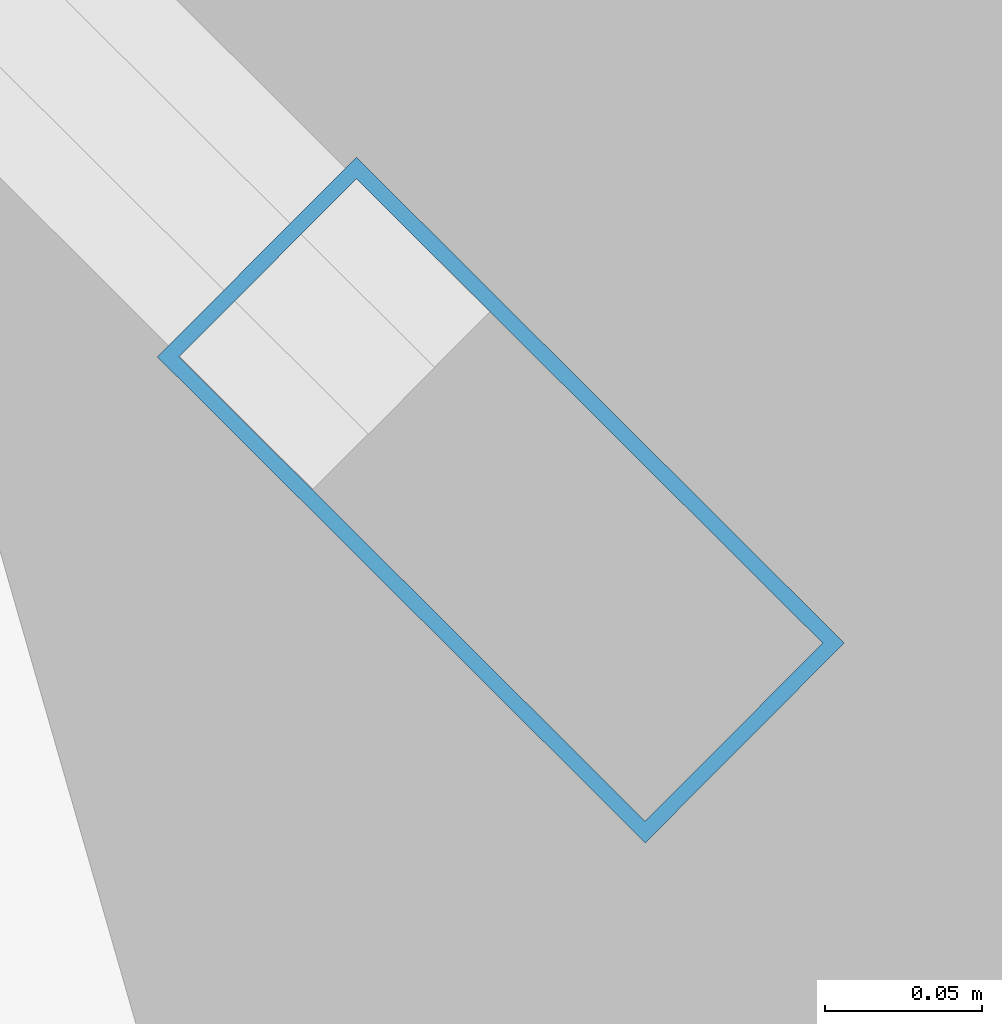
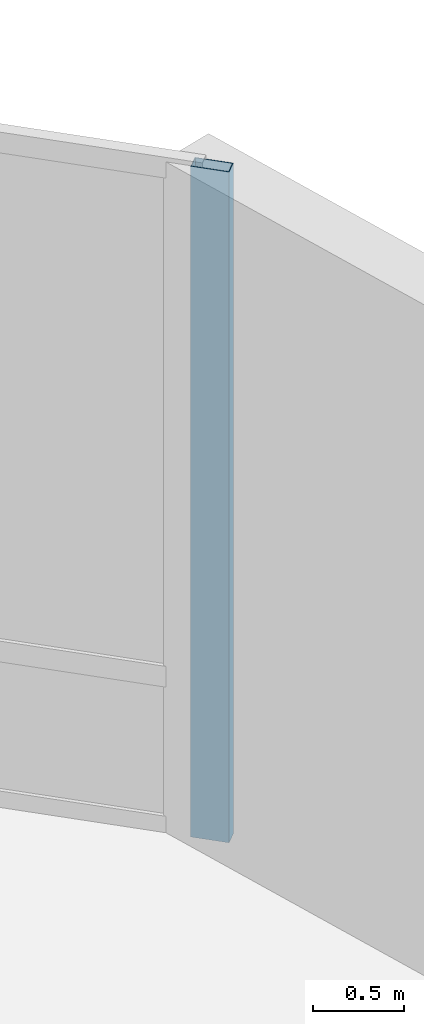
# One storey, part 16 of 40: 1 member, 1 element without a shape of its own.
"""IFC4 building model written with IfcOpenShell, lengths in metres."""

from ifc_helpers import new_model, si_unit, direction, frame, origin, origin_2d, place, context, subcontext, project, spatial, hollow_rectangle, extrude, material, layer, layer_set, material_profile, profile_set, type_object, element, aggregate, save


model = new_model("IFC4")

# Units and contexts
model_context = context("Model", 3, precision=1e-05, world=origin(), true_north=direction((0.0, 1.0)))
body_context = subcontext(model_context, "Body", "Model", "MODEL_VIEW")
ifc_project = project(units=[si_unit("LENGTHUNIT", "METRE"), si_unit("AREAUNIT", "SQUARE_METRE"), si_unit("VOLUMEUNIT", "CUBIC_METRE"), si_unit("PLANEANGLEUNIT", "RADIAN"), si_unit("MASSUNIT", "GRAM", prefix="KILO")], contexts=[model_context])

# Site, building, storey
site_placement = place(None, origin())
site = spatial("IfcSite", under=ifc_project, at=site_placement, CompositionType="ELEMENT")
building_placement = place(site_placement, origin())
building = spatial("IfcBuilding", under=site, at=building_placement, Name="Kazevale Care Tower and Concert Hall", CompositionType="ELEMENT")
storey_placement = place(building_placement, frame((0.0, 0.0, 4.800048828125)))
storey = spatial("IfcBuildingStorey", under=building, at=storey_placement, Name="L01", CompositionType="ELEMENT", Elevation=4.800048828125)

# Curtain wall, member
ifc_material_1 = material(Name="Aluminium 6063-T6 and Low-E Glass", Category="aluminium")
ifc_layer = layer(ifc_material_1, 0.179931640625)
ifc_layer_set = layer_set([ifc_layer], Name="Aluminium 6063-T6 and Low-E Glass")
curtain_wall_type = type_object("IfcCurtainWallType", Name="Podium Double-Skin Medical Curtain Wall CW-1", PredefinedType="NOTDEFINED", material=ifc_layer_set)
curtain_wall_placement = place(storey_placement, origin())
curtain_wall = element("IfcCurtainWall", 1, at=curtain_wall_placement, inside=storey, type_object=curtain_wall_type, Name="cw:L01:pod:02", PredefinedType="NOTDEFINED")
ifc_material_2 = material(Name="Aluminium 6063-T6", Category="aluminium")
ifc_material_profile = material_profile(ifc_material_2, hollow_rectangle(XDim=0.090087890625, YDim=0.219970703125, WallThickness=0.0048828125, at=origin_2d()), Name="ALU90x220x5")
ifc_profile_set = profile_set([ifc_material_profile], Name="Aluminium 6063-T6")
member_type = type_object("IfcMemberType", Name="CW-1 Mullion ALU90x220x5", PredefinedType="MULLION", material=ifc_profile_set)
member_placement = place(storey_placement, frame((83.06103515625, 52.601806640625, 0.0), z_axis=(0.0, 0.0, 1.0), x_axis=(-0.705655814257, -0.708554776856, 0.0)))
member = element("IfcMember", 2, at=member_placement, type_object=member_type, Name="CW-1 mullion 1", PredefinedType="MULLION", context=body_context, shape_type="SweptSolid", body=[
    extrude(hollow_rectangle(XDim=0.090087890625, YDim=0.219970703125, WallThickness=0.0048828125, at=origin_2d()), origin(), (0.0, 0.0, 1.0), 4.52001953125),
])
aggregate(curtain_wall, [member])

save(model, "model.ifc")
